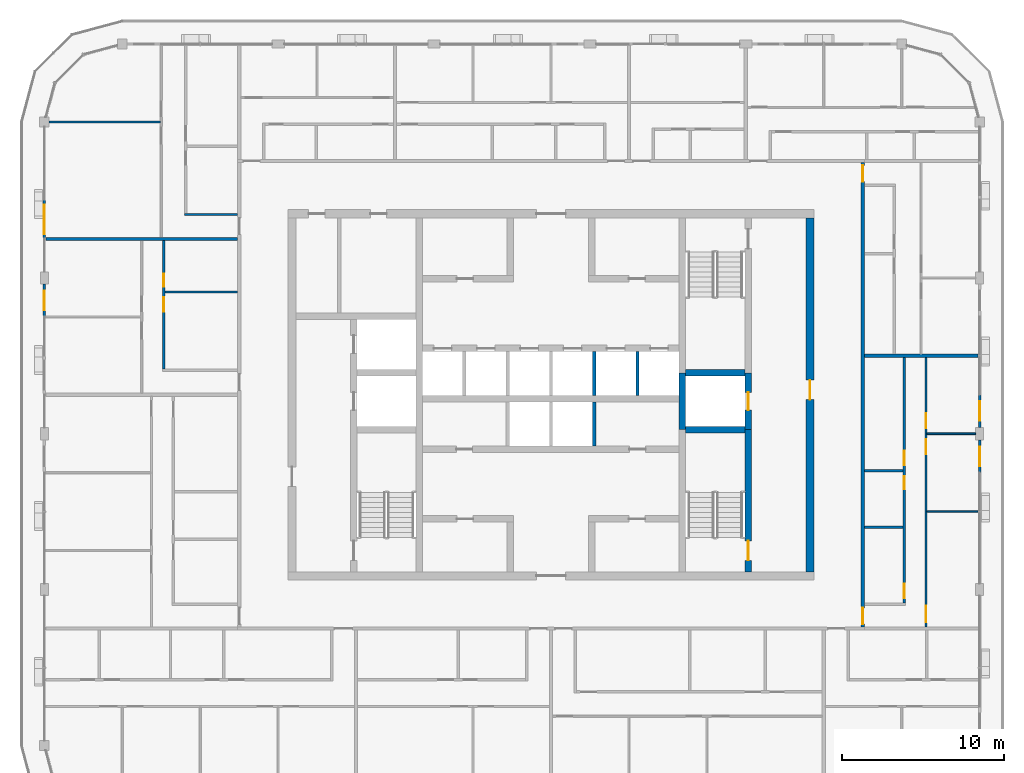
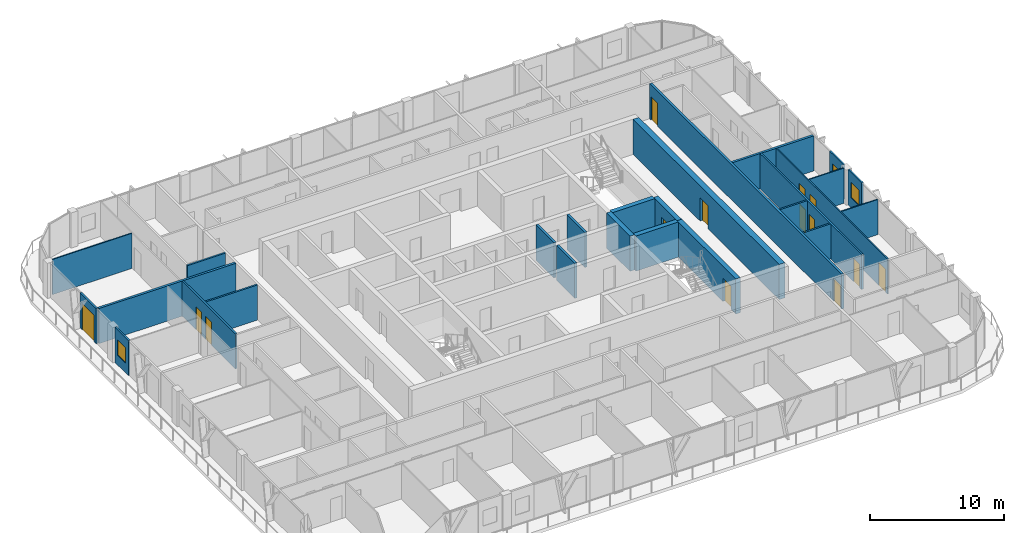
# One storey, part 12 of 21: 26 walls, 14 doors, 3 windows, 17 openings.
"""IFC4 building model written with IfcOpenShell, lengths in metres."""

from ifc_helpers import new_model, si_unit, direction, frame, frame_2d, origin, place, context, subcontext, project, spatial, rectangle, extrude, material, layer, layer_set, type_object, element, fill, save


model = new_model("IFC4")

# Units and contexts
model_context = context("Model", 3, precision=1e-05, world=origin(), true_north=direction((0.0, 1.0)))
body_context = subcontext(model_context, "Body", "Model", "MODEL_VIEW")
ifc_project = project(units=[si_unit("LENGTHUNIT", "METRE"), si_unit("AREAUNIT", "SQUARE_METRE"), si_unit("VOLUMEUNIT", "CUBIC_METRE"), si_unit("PLANEANGLEUNIT", "RADIAN"), si_unit("MASSUNIT", "GRAM", prefix="KILO")], contexts=[model_context])

# Site, building, storey
site_placement = place(None, origin())
site = spatial("IfcSite", under=ifc_project, at=site_placement, CompositionType="ELEMENT")
building_placement = place(site_placement, origin())
building = spatial("IfcBuilding", under=site, at=building_placement, Name="Madar Terraces", CompositionType="ELEMENT")
storey_placement = place(building_placement, frame((0.0, 0.0, 275.60009765625)))
storey = spatial("IfcBuildingStorey", under=building, at=storey_placement, Name="L72", CompositionType="ELEMENT", Elevation=275.60009765625)

# Wall
ifc_material_1 = material(Name="Concrete C50/60", Category="concrete")
ifc_layer_1 = layer(ifc_material_1, 0.39990234375)
ifc_layer_set_1 = layer_set([ifc_layer_1], Name="Concrete C50/60 (CIW6 RC wall 400)")
wall_type_1 = type_object("IfcWallType", Name="CIW6 RC wall 400", PredefinedType="SHEAR", material=ifc_layer_set_1)
wall_1_placement = place(storey_placement, frame((39.300048828125, 24.25, 0.0), z_axis=(0.0, 0.0, 1.0), x_axis=(0.0, 1.0, 0.0)))
element("IfcWall", 1, at=wall_1_placement, inside=storey, type_object=wall_type_1, Name="CORE SHAFT WALL", PredefinedType="SHEAR", context=body_context, shape_type="SweptSolid", body=[
    extrude(rectangle(XDim=3.5, YDim=0.39990234375, at=frame_2d((1.75, 0.0))), origin(), (0.0, 0.0, 1.0), 3.199951171875),
])

# Wall, opening, door
wall_2_placement = place(storey_placement, frame((43.35009765625, 15.5, 0.0), z_axis=(0.0, 0.0, 1.0), x_axis=(0.0, 1.0, 0.0)))
wall_2 = element("IfcWall", 2, at=wall_2_placement, inside=storey, type_object=wall_type_1, Name="CORE SHAFT WALL", PredefinedType="SHEAR", context=body_context, shape_type="SweptSolid", body=[
    extrude(rectangle(XDim=8.75, YDim=0.39990234375, at=frame_2d((4.375, 0.0))), origin(), (0.0, 0.0, 1.0), 3.199951171875),
])
opening_1_placement = place(wall_2_placement, frame((0.699951171875, 0.0, 0.0)))
opening_1 = element("IfcOpeningElement", 3, at=opening_1_placement, cuts=wall_2, Name="Opening SD1", PredefinedType="OPENING", context=body_context, shape_type="SweptSolid", body=[
    extrude(rectangle(XDim=1.199951171875, YDim=2.10009765625, at=frame_2d((0.60009765625, 1.050048828125))), frame((0.0, 0.2099609375, 0.0), z_axis=(0.0, -1.0, 0.0), x_axis=(1.0, 0.0, 0.0)), (0.0, 0.0, 1.0), 0.419921875),
])
ifc_material_2 = material(Name="Steel door leaf", Category="steel")
door_type_1 = type_object("IfcDoorType", Name="Stair door 1200 x 2100", OperationType="NOTDEFINED", PredefinedType="DOOR", material=ifc_material_2)
door_1_placement = place(opening_1_placement, origin())
door_1 = element("IfcDoor", 4, at=door_1_placement, inside=storey, type_object=door_type_1, Name="STAIR DOOR", OperationType="SINGLE_SWING_LEFT", OverallHeight=2.10009765625, OverallWidth=1.199951171875, PredefinedType="DOOR", context=body_context, shape_type="SweptSolid", body=[
    extrude(rectangle(XDim=1.199951171875, YDim=2.10009765625, at=frame_2d((0.60009765625, 1.050048828125))), frame((0.0, 0.02490234375, 0.0), z_axis=(0.0, -1.0, 0.0), x_axis=(1.0, 0.0, 0.0)), (0.0, 0.0, 1.0), 0.050048828125),
])
fill(opening_1, door_1)

wall_3_placement = place(storey_placement, frame((43.35009765625, 24.25, 0.0), z_axis=(0.0, 0.0, 1.0), x_axis=(0.0, 1.0, 0.0)))
wall_3 = element("IfcWall", 5, at=wall_3_placement, inside=storey, type_object=wall_type_1, Name="CORE SHAFT WALL", PredefinedType="SHEAR", context=body_context, shape_type="SweptSolid", body=[
    extrude(rectangle(XDim=3.5, YDim=0.39990234375, at=frame_2d((1.75, 0.0))), origin(), (0.0, 0.0, 1.0), 3.199951171875),
])
opening_2_placement = place(wall_3_placement, frame((1.199951171875, 0.0, 0.0)))
opening_2 = element("IfcOpeningElement", 6, at=opening_2_placement, cuts=wall_3, Name="Opening LD", PredefinedType="OPENING", context=body_context, shape_type="SweptSolid", body=[
    extrude(rectangle(XDim=1.10009765625, YDim=2.10009765625, at=frame_2d((0.550048828125, 1.050048828125))), frame((0.0, 0.2099609375, 0.0), z_axis=(0.0, -1.0, 0.0), x_axis=(1.0, 0.0, 0.0)), (0.0, 0.0, 1.0), 0.419921875),
])
ifc_material_3 = material(Name="Stainless steel panel", Category="steel")
door_type_2 = type_object("IfcDoorType", Name="Lift landing door 1100 x 2100", OperationType="DOUBLE_DOOR_SLIDING", PredefinedType="DOOR", material=ifc_material_3)
door_2_placement = place(opening_2_placement, origin())
door_2 = element("IfcDoor", 7, at=door_2_placement, inside=storey, type_object=door_type_2, Name="LIFT LANDING DOOR", OperationType="DOUBLE_DOOR_SLIDING", OverallHeight=2.10009765625, OverallWidth=1.10009765625, PredefinedType="DOOR", context=body_context, shape_type="SweptSolid", body=[
    extrude(rectangle(XDim=1.10009765625, YDim=2.10009765625, at=frame_2d((0.550048828125, 1.050048828125))), frame((0.0, 0.02490234375, 0.0), z_axis=(0.0, -1.0, 0.0), x_axis=(1.0, 0.0, 0.0)), (0.0, 0.0, 1.0), 0.050048828125),
])
fill(opening_2, door_2)

# Walls
for number, where, z_axis, x_axis, name in (
    (8, (39.5, 24.25, 0.0), (0.0, 0.0, 1.0), (1.0, 0.0, 0.0), "CORE SHAFT WALL"),
    (9, (39.5, 27.75, 0.0), (0.0, 0.0, 1.0), (1.0, 0.0, 0.0), "CORE SHAFT WALL"),
):
    element("IfcWall", number, at=place(storey_placement, frame(where, z_axis=z_axis, x_axis=x_axis)), inside=storey, type_object=wall_type_1, Name=name, PredefinedType="SHEAR", context=body_context, shape_type="SweptSolid", body=[
        extrude(rectangle(XDim=3.64990234375, YDim=0.39990234375, at=frame_2d((1.824951171875, 0.0))), origin(), (0.0, 0.0, 1.0), 3.199951171875),
    ])

# Wall, opening, door
ifc_material_4 = material(Name="Concrete C50/60", Category="concrete")
ifc_layer_2 = layer(ifc_material_4, 0.5)
ifc_layer_set_2 = layer_set([ifc_layer_2], Name="Concrete C50/60 (CRW6 RC wall 500)")
wall_type_2 = type_object("IfcWallType", Name="CRW6 RC wall 500", PredefinedType="SHEAR", material=ifc_layer_set_2)
wall_4_placement = place(storey_placement, frame((47.14990234375, 15.5, 0.0), z_axis=(0.0, 0.0, 1.0), x_axis=(0.0, 1.0, 0.0)))
wall_4 = element("IfcWall", 10, at=wall_4_placement, inside=storey, type_object=wall_type_2, Name="CORE OUTER WALL", PredefinedType="SHEAR", context=body_context, shape_type="SweptSolid", body=[
    extrude(rectangle(XDim=21.800048828125, YDim=0.5, at=frame_2d((10.89990234375, 0.0))), origin(), (0.0, 0.0, 1.0), 3.199951171875),
])
opening_3_placement = place(wall_4_placement, frame((10.60009765625, 0.0, 0.0)))
opening_3 = element("IfcOpeningElement", 11, at=opening_3_placement, cuts=wall_4, Name="Opening SD1", PredefinedType="OPENING", context=body_context, shape_type="SweptSolid", body=[
    extrude(rectangle(XDim=1.199951171875, YDim=2.10009765625, at=frame_2d((0.60009765625, 1.050048828125))), frame((0.0, 0.260009765625, 0.0), z_axis=(0.0, -1.0, 0.0), x_axis=(1.0, 0.0, 0.0)), (0.0, 0.0, 1.0), 0.52001953125),
])
door_3_placement = place(opening_3_placement, origin())
door_3 = element("IfcDoor", 12, at=door_3_placement, inside=storey, type_object=door_type_1, Name="STAIR DOOR", OperationType="SINGLE_SWING_RIGHT", OverallHeight=2.10009765625, OverallWidth=1.199951171875, PredefinedType="DOOR", context=body_context, shape_type="SweptSolid", body=[
    extrude(rectangle(XDim=1.199951171875, YDim=2.10009765625, at=frame_2d((0.60009765625, 1.050048828125))), frame((0.0, 0.02490234375, 0.0), z_axis=(0.0, -1.0, 0.0), x_axis=(1.0, 0.0, 0.0)), (0.0, 0.0, 1.0), 0.050048828125),
])
fill(opening_3, door_3)

# Walls
ifc_material_5 = material(Name="Concrete C40/50", Category="concrete")
ifc_layer_3 = layer(ifc_material_5, 0.199951171875)
ifc_layer_set_3 = layer_set([ifc_layer_3], Name="Core shaft dividing wall 200 C40/50")
wall_type_3 = type_object("IfcWallType", Name="Core shaft dividing wall 200 C40/50", PredefinedType="SOLIDWALL", material=ifc_layer_set_3)
for number, where, z_axis, x_axis, name in (
    (13, (33.86669921875, 23.25, 0.0), (0.0, 0.0, 1.0), (0.0, 1.0, 0.0), "SHAFT DIVIDING WALL"),
    (14, (33.86669921875, 26.35009765625, 0.0), (0.0, 0.0, 1.0), (0.0, 1.0, 0.0), "SHAFT DIVIDING WALL"),
    (15, (36.533447265625, 26.35009765625, 0.0), (0.0, 0.0, 1.0), (0.0, 1.0, 0.0), "SHAFT DIVIDING WALL"),
):
    element("IfcWall", number, at=place(storey_placement, frame(where, z_axis=z_axis, x_axis=x_axis)), inside=storey, type_object=wall_type_3, Name=name, PredefinedType="SOLIDWALL", context=body_context, shape_type="SweptSolid", body=[
        extrude(rectangle(XDim=2.699951171875, YDim=0.199951171875, at=frame_2d((1.35009765625, 0.0))), origin(), (0.0, 0.0, 1.0), 3.199951171875),
    ])

# Wall, opening, window
ifc_material_6 = material(Name="Aluminium composite panel, black, over insulated backing", Category="aluminium")
ifc_layer_4 = layer(ifc_material_6, 0.14990234375)
ifc_layer_set_4 = layer_set([ifc_layer_4], Name="Facade bay panel 150")
wall_type_4 = type_object("IfcWallType", Name="Facade bay panel 150", PredefinedType="SOLIDWALL", material=ifc_layer_set_4)
wall_5_placement = place(storey_placement, frame((57.60009765625, 21.60009765625, 0.0), z_axis=(0.0, 0.0, 1.0), x_axis=(0.0, 1.0, 0.0)))
wall_5 = element("IfcWall", 16, at=wall_5_placement, inside=storey, type_object=wall_type_4, Name="Facade bay panel", PredefinedType="SOLIDWALL", context=body_context, shape_type="SweptSolid", body=[
    extrude(rectangle(XDim=2.02490234375, YDim=0.14990234375, at=frame_2d((1.012451171875, 0.0))), origin(), (0.0, 0.0, 1.0), 3.199951171875),
])
opening_4_placement = place(wall_5_placement, frame((0.41259765625, 0.0, 0.89990234375)))
opening_4 = element("IfcOpeningElement", 17, at=opening_4_placement, cuts=wall_5, Name="Opening W1", PredefinedType="OPENING", context=body_context, shape_type="SweptSolid", body=[
    extrude(rectangle(XDim=1.199951171875, YDim=1.39990234375, at=frame_2d((0.60009765625, 0.699951171875))), frame((0.0, 0.0849609375, 0.0), z_axis=(0.0, -1.0, 0.0), x_axis=(1.0, 0.0, 0.0)), (0.0, 0.0, 1.0), 0.169921875),
])
ifc_material_7 = material(Name="Glass, clear, with black aluminium frame", Category="aluminium")
window_type = type_object("IfcWindowType", Name="Vent window 1200 x 1400", PartitioningType="SINGLE_PANEL", PredefinedType="WINDOW", material=ifc_material_7)
window_1_placement = place(opening_4_placement, origin())
window_1 = element("IfcWindow", 18, at=window_1_placement, inside=storey, type_object=window_type, Name="Operable vent window", OverallHeight=1.39990234375, OverallWidth=1.199951171875, PartitioningType="SINGLE_PANEL", PredefinedType="WINDOW", context=body_context, shape_type="SweptSolid", body=[
    extrude(rectangle(XDim=1.199951171875, YDim=1.39990234375, at=frame_2d((0.60009765625, 0.699951171875))), frame((0.0, 0.030029296875, 0.0), z_axis=(0.0, -1.0, 0.0), x_axis=(1.0, 0.0, 0.0)), (0.0, 0.0, 1.0), 0.06005859375),
])
fill(opening_4, window_1)

wall_6_placement = place(storey_placement, frame((57.60009765625, 24.375, 0.0), z_axis=(0.0, 0.0, 1.0), x_axis=(0.0, 1.0, 0.0)))
wall_6 = element("IfcWall", 19, at=wall_6_placement, inside=storey, type_object=wall_type_4, Name="Facade bay panel", PredefinedType="SOLIDWALL", context=body_context, shape_type="SweptSolid", body=[
    extrude(rectangle(XDim=2.02490234375, YDim=0.14990234375, at=frame_2d((1.012451171875, 0.0))), origin(), (0.0, 0.0, 1.0), 3.199951171875),
])
opening_5_placement = place(wall_6_placement, frame((0.41259765625, 0.0, 0.89990234375)))
opening_5 = element("IfcOpeningElement", 20, at=opening_5_placement, cuts=wall_6, Name="Opening W1", PredefinedType="OPENING", context=body_context, shape_type="SweptSolid", body=[
    extrude(rectangle(XDim=1.199951171875, YDim=1.39990234375, at=frame_2d((0.60009765625, 0.699951171875))), frame((0.0, 0.0849609375, 0.0), z_axis=(0.0, -1.0, 0.0), x_axis=(1.0, 0.0, 0.0)), (0.0, 0.0, 1.0), 0.169921875),
])
window_2_placement = place(opening_5_placement, origin())
window_2 = element("IfcWindow", 21, at=window_2_placement, inside=storey, type_object=window_type, Name="Operable vent window", OverallHeight=1.39990234375, OverallWidth=1.199951171875, PartitioningType="SINGLE_PANEL", PredefinedType="WINDOW", context=body_context, shape_type="SweptSolid", body=[
    extrude(rectangle(XDim=1.199951171875, YDim=1.39990234375, at=frame_2d((0.60009765625, 0.699951171875))), frame((0.0, 0.030029296875, 0.0), z_axis=(0.0, -1.0, 0.0), x_axis=(1.0, 0.0, 0.0)), (0.0, 0.0, 1.0), 0.06005859375),
])
fill(opening_5, window_2)

# Wall, opening, door
wall_7_placement = place(storey_placement, frame((0.0, 38.39990234375, 0.0), z_axis=(0.0, 0.0, 1.0), x_axis=(0.0, -1.0, 0.0)))
wall_7 = element("IfcWall", 22, at=wall_7_placement, inside=storey, type_object=wall_type_4, Name="Facade bay panel", PredefinedType="SOLIDWALL", context=body_context, shape_type="SweptSolid", body=[
    extrude(rectangle(XDim=2.39990234375, YDim=0.14990234375, at=frame_2d((1.199951171875, 0.0))), origin(), (0.0, 0.0, 1.0), 3.199951171875),
])
opening_6_placement = place(wall_7_placement, frame((0.300048828125, 0.0, 0.0)))
opening_6 = element("IfcOpeningElement", 23, at=opening_6_placement, cuts=wall_7, Name="Opening ED1", PredefinedType="OPENING", context=body_context, shape_type="SweptSolid", body=[
    extrude(rectangle(XDim=1.800048828125, YDim=2.39990234375, at=frame_2d((0.89990234375, 1.199951171875))), frame((0.0, 0.0849609375, 0.0), z_axis=(0.0, -1.0, 0.0), x_axis=(1.0, 0.0, 0.0)), (0.0, 0.0, 1.0), 0.169921875),
])
ifc_material_8 = material(Name="Glass, clear, with black aluminium frame", Category="aluminium")
door_type_3 = type_object("IfcDoorType", Name="Balcony and terrace sliding door 1800 x 2400", OperationType="SLIDING_TO_LEFT", PredefinedType="DOOR", material=ifc_material_8)
door_4_placement = place(opening_6_placement, origin())
door_4 = element("IfcDoor", 24, at=door_4_placement, inside=storey, type_object=door_type_3, Name="Balcony door", OperationType="SLIDING_TO_LEFT", OverallHeight=2.39990234375, OverallWidth=1.800048828125, PredefinedType="DOOR", context=body_context, shape_type="SweptSolid", body=[
    extrude(rectangle(XDim=1.800048828125, YDim=2.39990234375, at=frame_2d((0.89990234375, 1.199951171875))), frame((0.0, 0.02490234375, 0.0), z_axis=(0.0, -1.0, 0.0), x_axis=(1.0, 0.0, 0.0)), (0.0, 0.0, 1.0), 0.050048828125),
])
fill(opening_6, door_4)

# Wall, opening, window
wall_8_placement = place(storey_placement, frame((0.0, 33.22509765625, 0.0), z_axis=(0.0, 0.0, 1.0), x_axis=(0.0, -1.0, 0.0)))
wall_8 = element("IfcWall", 25, at=wall_8_placement, inside=storey, type_object=wall_type_4, Name="Facade bay panel", PredefinedType="SOLIDWALL", context=body_context, shape_type="SweptSolid", body=[
    extrude(rectangle(XDim=2.025146484375, YDim=0.14990234375, at=frame_2d((1.0126953125, 0.0))), origin(), (0.0, 0.0, 1.0), 3.199951171875),
])
opening_7_placement = place(wall_8_placement, frame((0.41259765625, 0.0, 0.89990234375)))
opening_7 = element("IfcOpeningElement", 26, at=opening_7_placement, cuts=wall_8, Name="Opening W1", PredefinedType="OPENING", context=body_context, shape_type="SweptSolid", body=[
    extrude(rectangle(XDim=1.199951171875, YDim=1.39990234375, at=frame_2d((0.60009765625, 0.699951171875))), frame((0.0, 0.0849609375, 0.0), z_axis=(0.0, -1.0, 0.0), x_axis=(1.0, 0.0, 0.0)), (0.0, 0.0, 1.0), 0.169921875),
])
window_3_placement = place(opening_7_placement, origin())
window_3 = element("IfcWindow", 27, at=window_3_placement, inside=storey, type_object=window_type, Name="Operable vent window", OverallHeight=1.39990234375, OverallWidth=1.199951171875, PartitioningType="SINGLE_PANEL", PredefinedType="WINDOW", context=body_context, shape_type="SweptSolid", body=[
    extrude(rectangle(XDim=1.199951171875, YDim=1.39990234375, at=frame_2d((0.60009765625, 0.699951171875))), frame((0.0, 0.030029296875, 0.0), z_axis=(0.0, -1.0, 0.0), x_axis=(1.0, 0.0, 0.0)), (0.0, 0.0, 1.0), 0.06005859375),
])
fill(opening_7, window_3)

# Walls
ifc_material_9 = material(Name="Gypsum board on steel studs", Category="steel")
ifc_layer_5 = layer(ifc_material_9, 0.10009765625)
ifc_layer_set_5 = layer_set([ifc_layer_5], Name="Flat partition 100")
wall_type_5 = type_object("IfcWallType", Name="Flat partition 100", PredefinedType="PARTITIONING", material=ifc_layer_set_5)
wall_9_placement = place(storey_placement, frame((54.35009765625, 19.199951171875, 0.0), z_axis=(0.0, 0.0, 1.0), x_axis=(1.0, 0.0, 0.0)))
element("IfcWall", 28, at=wall_9_placement, inside=storey, type_object=wall_type_5, Name="Flat partition 100", PredefinedType="PARTITIONING", context=body_context, shape_type="SweptSolid", body=[
    extrude(rectangle(XDim=3.14990234375, YDim=0.10009765625, at=frame_2d((1.574951171875, 0.0))), origin(), (0.0, 0.0, 1.0), 3.199951171875),
])
wall_10_placement = place(storey_placement, frame((54.35009765625, 24.0, 0.0), z_axis=(0.0, 0.0, 1.0), x_axis=(1.0, 0.0, 0.0)))
element("IfcWall", 29, at=wall_10_placement, inside=storey, type_object=wall_type_5, Name="Flat partition 100", PredefinedType="PARTITIONING", context=body_context, shape_type="SweptSolid", body=[
    extrude(rectangle(XDim=3.0, YDim=0.10009765625, at=frame_2d((1.5, 0.0))), origin(), (0.0, 0.0, 1.0), 3.199951171875),
])

# Wall, openings, doors
wall_11_placement = place(storey_placement, frame((54.300048828125, 28.699951171875, 0.0), z_axis=(0.0, 0.0, 1.0), x_axis=(0.0, -1.0, 0.0)))
wall_11 = element("IfcWall", 30, at=wall_11_placement, inside=storey, type_object=wall_type_5, Name="Flat partition 100", PredefinedType="PARTITIONING", context=body_context, shape_type="SweptSolid", body=[
    extrude(rectangle(XDim=16.599853515625, YDim=0.10009765625, at=frame_2d((8.2998046875, 0.0))), origin(), (0.0, 0.0, 1.0), 3.199951171875),
])
opening_8_placement = place(wall_11_placement, frame((15.300048828125, 0.0, 0.0)))
opening_8 = element("IfcOpeningElement", 31, at=opening_8_placement, cuts=wall_11, Name="Opening D3", PredefinedType="OPENING", context=body_context, shape_type="SweptSolid", body=[
    extrude(rectangle(XDim=1.0, YDim=2.10009765625, at=frame_2d((0.5, 1.050048828125))), frame((0.0, 0.06005859375, 0.0), z_axis=(0.0, -1.0, 0.0), x_axis=(1.0, 0.0, 0.0)), (0.0, 0.0, 1.0), 0.1201171875),
])
opening_9_placement = place(wall_11_placement, frame((5.050048828125, 0.0, 0.0)))
opening_9 = element("IfcOpeningElement", 32, at=opening_9_placement, cuts=wall_11, Name="Opening D2", PredefinedType="OPENING", context=body_context, shape_type="SweptSolid", body=[
    extrude(rectangle(XDim=0.89990234375, YDim=2.10009765625, at=frame_2d((0.449951171875, 1.050048828125))), frame((0.0, 0.06005859375, 0.0), z_axis=(0.0, -1.0, 0.0), x_axis=(1.0, 0.0, 0.0)), (0.0, 0.0, 1.0), 0.1201171875),
])
opening_10_placement = place(wall_11_placement, frame((3.449951171875, 0.0, 0.0)))
opening_10 = element("IfcOpeningElement", 33, at=opening_10_placement, cuts=wall_11, Name="Opening D2", PredefinedType="OPENING", context=body_context, shape_type="SweptSolid", body=[
    extrude(rectangle(XDim=0.89990234375, YDim=2.10009765625, at=frame_2d((0.449951171875, 1.050048828125))), frame((0.0, 0.06005859375, 0.0), z_axis=(0.0, -1.0, 0.0), x_axis=(1.0, 0.0, 0.0)), (0.0, 0.0, 1.0), 0.1201171875),
])
ifc_material_10 = material(Name="Timber door leaf", Category="wood")
door_type_4 = type_object("IfcDoorType", Name="Flat living room door 1000", OperationType="NOTDEFINED", PredefinedType="DOOR", material=ifc_material_10)
door_5_placement = place(opening_8_placement, origin())
door_5 = element("IfcDoor", 34, at=door_5_placement, inside=storey, type_object=door_type_4, Name="Flat living room door 1000", OperationType="SINGLE_SWING_RIGHT", OverallHeight=2.10009765625, OverallWidth=1.0, PredefinedType="DOOR", context=body_context, shape_type="SweptSolid", body=[
    extrude(rectangle(XDim=1.0, YDim=2.10009765625, at=frame_2d((0.5, 1.050048828125))), frame((0.0, 0.02490234375, 0.0), z_axis=(0.0, -1.0, 0.0), x_axis=(1.0, 0.0, 0.0)), (0.0, 0.0, 1.0), 0.050048828125),
])
fill(opening_8, door_5)
ifc_material_11 = material(Name="Timber door leaf", Category="wood")
door_type_5 = type_object("IfcDoorType", Name="Flat room door 900", OperationType="NOTDEFINED", PredefinedType="DOOR", material=ifc_material_11)
door_6_placement = place(opening_9_placement, origin())
door_6 = element("IfcDoor", 35, at=door_6_placement, inside=storey, type_object=door_type_5, Name="Flat room door 900", OperationType="SINGLE_SWING_LEFT", OverallHeight=2.10009765625, OverallWidth=0.89990234375, PredefinedType="DOOR", context=body_context, shape_type="SweptSolid", body=[
    extrude(rectangle(XDim=0.89990234375, YDim=2.10009765625, at=frame_2d((0.449951171875, 1.050048828125))), frame((0.0, 0.02490234375, 0.0), z_axis=(0.0, -1.0, 0.0), x_axis=(1.0, 0.0, 0.0)), (0.0, 0.0, 1.0), 0.050048828125),
])
fill(opening_9, door_6)
door_7_placement = place(opening_10_placement, origin())
door_7 = element("IfcDoor", 36, at=door_7_placement, inside=storey, type_object=door_type_5, Name="Flat room door 900", OperationType="SINGLE_SWING_RIGHT", OverallHeight=2.10009765625, OverallWidth=0.89990234375, PredefinedType="DOOR", context=body_context, shape_type="SweptSolid", body=[
    extrude(rectangle(XDim=0.89990234375, YDim=2.10009765625, at=frame_2d((0.449951171875, 1.050048828125))), frame((0.0, 0.02490234375, 0.0), z_axis=(0.0, -1.0, 0.0), x_axis=(1.0, 0.0, 0.0)), (0.0, 0.0, 1.0), 0.050048828125),
])
fill(opening_10, door_7)

# Wall
wall_12_placement = place(storey_placement, frame((7.14990234375, 43.199951171875, 0.0), z_axis=(0.0, 0.0, 1.0), x_axis=(-1.0, 0.0, 0.0)))
element("IfcWall", 37, at=wall_12_placement, inside=storey, type_object=wall_type_5, Name="Flat partition 100", PredefinedType="PARTITIONING", context=body_context, shape_type="SweptSolid", body=[
    extrude(rectangle(XDim=6.849853515625, YDim=0.10009765625, at=frame_2d((3.4248046875, 0.0))), origin(), (0.0, 0.0, 1.0), 3.199951171875),
])

# Wall, openings, doors
ifc_material_12 = material(Name="Lightweight blockwork", Category="masonry")
ifc_layer_6 = layer(ifc_material_12, 0.199951171875)
ifc_layer_set_6 = layer_set([ifc_layer_6], Name="Flat party and entrance wall 200")
wall_type_6 = type_object("IfcWallType", Name="Flat party and entrance wall 200", PredefinedType="PARTITIONING", material=ifc_layer_set_6)
wall_13_placement = place(storey_placement, frame((50.39990234375, 40.699951171875, 0.0), z_axis=(0.0, 0.0, 1.0), x_axis=(0.0, -1.0, 0.0)))
wall_13 = element("IfcWall", 38, at=wall_13_placement, inside=storey, type_object=wall_type_6, Name="Flat party and entrance wall 200", PredefinedType="PARTITIONING", context=body_context, shape_type="SweptSolid", body=[
    extrude(rectangle(XDim=28.599853515625, YDim=0.199951171875, at=frame_2d((14.2998046875, 0.0))), origin(), (0.0, 0.0, 1.0), 3.199951171875),
])
opening_11_placement = place(wall_13_placement, frame((27.425048828125, 0.0, 0.0)))
opening_11 = element("IfcOpeningElement", 39, at=opening_11_placement, cuts=wall_13, Name="Opening D1", PredefinedType="OPENING", context=body_context, shape_type="SweptSolid", body=[
    extrude(rectangle(XDim=1.0, YDim=2.10009765625, at=frame_2d((0.5, 1.050048828125))), frame((0.0, 0.10986328125, 0.0), z_axis=(0.0, -1.0, 0.0), x_axis=(1.0, 0.0, 0.0)), (0.0, 0.0, 1.0), 0.219970703125),
])
opening_12_placement = place(wall_13_placement, frame((0.175048828125, 0.0, 0.0)))
opening_12 = element("IfcOpeningElement", 40, at=opening_12_placement, cuts=wall_13, Name="Opening D1", PredefinedType="OPENING", context=body_context, shape_type="SweptSolid", body=[
    extrude(rectangle(XDim=1.0, YDim=2.10009765625, at=frame_2d((0.5, 1.050048828125))), frame((0.0, 0.10986328125, 0.0), z_axis=(0.0, -1.0, 0.0), x_axis=(1.0, 0.0, 0.0)), (0.0, 0.0, 1.0), 0.219970703125),
])
ifc_material_13 = material(Name="Timber fire door leaf", Category="wood")
door_type_6 = type_object("IfcDoorType", Name="Flat entrance door 1000 FD30S", OperationType="NOTDEFINED", PredefinedType="DOOR", material=ifc_material_13)
door_8_placement = place(opening_11_placement, origin())
door_8 = element("IfcDoor", 41, at=door_8_placement, inside=storey, type_object=door_type_6, Name="Flat entrance door 1000 FD30S", OperationType="SINGLE_SWING_RIGHT", OverallHeight=2.10009765625, OverallWidth=1.0, PredefinedType="DOOR", context=body_context, shape_type="SweptSolid", body=[
    extrude(rectangle(XDim=1.0, YDim=2.10009765625, at=frame_2d((0.5, 1.050048828125))), frame((0.0, 0.02490234375, 0.0), z_axis=(0.0, -1.0, 0.0), x_axis=(1.0, 0.0, 0.0)), (0.0, 0.0, 1.0), 0.050048828125),
])
fill(opening_11, door_8)
door_9_placement = place(opening_12_placement, origin())
door_9 = element("IfcDoor", 42, at=door_9_placement, inside=storey, type_object=door_type_6, Name="Flat entrance door 1000 FD30S", OperationType="SINGLE_SWING_LEFT", OverallHeight=2.10009765625, OverallWidth=1.0, PredefinedType="DOOR", context=body_context, shape_type="SweptSolid", body=[
    extrude(rectangle(XDim=1.0, YDim=2.10009765625, at=frame_2d((0.5, 1.050048828125))), frame((0.0, 0.02490234375, 0.0), z_axis=(0.0, -1.0, 0.0), x_axis=(1.0, 0.0, 0.0)), (0.0, 0.0, 1.0), 0.050048828125),
])
fill(opening_12, door_9)

# Walls
wall_14_placement = place(storey_placement, frame((50.5, 28.800048828125, 0.0), z_axis=(0.0, 0.0, 1.0), x_axis=(1.0, 0.0, 0.0)))
element("IfcWall", 43, at=wall_14_placement, inside=storey, type_object=wall_type_6, Name="Flat party and entrance wall 200", PredefinedType="PARTITIONING", context=body_context, shape_type="SweptSolid", body=[
    extrude(rectangle(XDim=7.0, YDim=0.199951171875, at=frame_2d((3.5, 0.0))), origin(), (0.0, 0.0, 1.0), 3.199951171875),
])
wall_15_placement = place(storey_placement, frame((0.10009765625, 36.0, 0.0), z_axis=(0.0, 0.0, 1.0), x_axis=(1.0, 0.0, 0.0)))
element("IfcWall", 44, at=wall_15_placement, inside=storey, type_object=wall_type_6, Name="Flat party and entrance wall 200", PredefinedType="PARTITIONING", context=body_context, shape_type="SweptSolid", body=[
    extrude(rectangle(XDim=11.7998046875, YDim=0.199951171875, at=frame_2d((5.89990234375, 0.0))), origin(), (0.0, 0.0, 1.0), 3.199951171875),
])
ifc_material_14 = material(Name="Lightweight blockwork", Category="masonry")
ifc_layer_7 = layer(ifc_material_14, 0.14990234375)
ifc_layer_set_7 = layer_set([ifc_layer_7], Name="Flat wet-room partition 150")
wall_type_7 = type_object("IfcWallType", Name="Flat wet-room partition 150", PredefinedType="PARTITIONING", material=ifc_layer_set_7)
for number, where, z_axis, x_axis, name in (
    (45, (50.5, 18.228759765625, 0.0), (0.0, 0.0, 1.0), (1.0, 0.0, 0.0), "Flat wet-room partition 150"),
    (46, (50.5, 21.71923828125, 0.0), (0.0, 0.0, 1.0), (1.0, 0.0, 0.0), "Flat wet-room partition 150"),
):
    element("IfcWall", number, at=place(storey_placement, frame(where, z_axis=z_axis, x_axis=x_axis)), inside=storey, type_object=wall_type_7, Name=name, PredefinedType="PARTITIONING", context=body_context, shape_type="SweptSolid", body=[
        extrude(rectangle(XDim=2.375, YDim=0.14990234375, at=frame_2d((1.1875, 0.0))), origin(), (0.0, 0.0, 1.0), 3.199951171875),
    ])

# Wall, openings, doors
wall_16_placement = place(storey_placement, frame((52.949951171875, 13.574951171875, 0.0), z_axis=(0.0, 0.0, 1.0), x_axis=(0.0, 1.0, 0.0)))
wall_16 = element("IfcWall", 47, at=wall_16_placement, inside=storey, type_object=wall_type_7, Name="Flat wet-room partition 150", PredefinedType="PARTITIONING", context=body_context, shape_type="SweptSolid", body=[
    extrude(rectangle(XDim=15.125, YDim=0.14990234375, at=frame_2d((7.5625, 0.0))), origin(), (0.0, 0.0, 1.0), 3.199951171875),
])
opening_13_placement = place(wall_16_placement, frame((0.300048828125, 0.0, 0.0)))
opening_13 = element("IfcOpeningElement", 48, at=opening_13_placement, cuts=wall_16, Name="Opening D5", PredefinedType="OPENING", context=body_context, shape_type="SweptSolid", body=[
    extrude(rectangle(XDim=0.89990234375, YDim=2.10009765625, at=frame_2d((0.449951171875, 1.050048828125))), frame((0.0, 0.0849609375, 0.0), z_axis=(0.0, -1.0, 0.0), x_axis=(1.0, 0.0, 0.0)), (0.0, 0.0, 1.0), 0.169921875),
])
opening_14_placement = place(wall_16_placement, frame((7.019287109375, 0.0, 0.0)))
opening_14 = element("IfcOpeningElement", 49, at=opening_14_placement, cuts=wall_16, Name="Opening D4", PredefinedType="OPENING", context=body_context, shape_type="SweptSolid", body=[
    extrude(rectangle(XDim=0.800048828125, YDim=2.10009765625, at=frame_2d((0.39990234375, 1.050048828125))), frame((0.0, 0.0849609375, 0.0), z_axis=(0.0, -1.0, 0.0), x_axis=(1.0, 0.0, 0.0)), (0.0, 0.0, 1.0), 0.169921875),
])
opening_15_placement = place(wall_16_placement, frame((8.46923828125, 0.0, 0.0)))
opening_15 = element("IfcOpeningElement", 50, at=opening_15_placement, cuts=wall_16, Name="Opening D2", PredefinedType="OPENING", context=body_context, shape_type="SweptSolid", body=[
    extrude(rectangle(XDim=0.89990234375, YDim=2.10009765625, at=frame_2d((0.449951171875, 1.050048828125))), frame((0.0, 0.0849609375, 0.0), z_axis=(0.0, -1.0, 0.0), x_axis=(1.0, 0.0, 0.0)), (0.0, 0.0, 1.0), 0.169921875),
])
ifc_material_15 = material(Name="Timber door leaf", Category="wood")
door_type_7 = type_object("IfcDoorType", Name="Flat accessible bathroom door 900", OperationType="NOTDEFINED", PredefinedType="DOOR", material=ifc_material_15)
door_10_placement = place(opening_13_placement, origin())
door_10 = element("IfcDoor", 51, at=door_10_placement, inside=storey, type_object=door_type_7, Name="Flat accessible bathroom door 900", OperationType="SINGLE_SWING_LEFT", OverallHeight=2.10009765625, OverallWidth=0.89990234375, PredefinedType="DOOR", context=body_context, shape_type="SweptSolid", body=[
    extrude(rectangle(XDim=0.89990234375, YDim=2.10009765625, at=frame_2d((0.449951171875, 1.050048828125))), frame((0.0, 0.02490234375, 0.0), z_axis=(0.0, -1.0, 0.0), x_axis=(1.0, 0.0, 0.0)), (0.0, 0.0, 1.0), 0.050048828125),
])
fill(opening_13, door_10)
ifc_material_16 = material(Name="Timber door leaf", Category="wood")
door_type_8 = type_object("IfcDoorType", Name="Flat bathroom door 800", OperationType="NOTDEFINED", PredefinedType="DOOR", material=ifc_material_16)
door_11_placement = place(opening_14_placement, origin())
door_11 = element("IfcDoor", 52, at=door_11_placement, inside=storey, type_object=door_type_8, Name="Flat bathroom door 800", OperationType="SINGLE_SWING_RIGHT", OverallHeight=2.10009765625, OverallWidth=0.800048828125, PredefinedType="DOOR", context=body_context, shape_type="SweptSolid", body=[
    extrude(rectangle(XDim=0.800048828125, YDim=2.10009765625, at=frame_2d((0.39990234375, 1.050048828125))), frame((0.0, 0.02490234375, 0.0), z_axis=(0.0, -1.0, 0.0), x_axis=(1.0, 0.0, 0.0)), (0.0, 0.0, 1.0), 0.050048828125),
])
fill(opening_14, door_11)
door_12_placement = place(opening_15_placement, origin())
door_12 = element("IfcDoor", 53, at=door_12_placement, inside=storey, type_object=door_type_5, Name="Flat room door 900", OperationType="SINGLE_SWING_LEFT", OverallHeight=2.10009765625, OverallWidth=0.89990234375, PredefinedType="DOOR", context=body_context, shape_type="SweptSolid", body=[
    extrude(rectangle(XDim=0.89990234375, YDim=2.10009765625, at=frame_2d((0.449951171875, 1.050048828125))), frame((0.0, 0.02490234375, 0.0), z_axis=(0.0, -1.0, 0.0), x_axis=(1.0, 0.0, 0.0)), (0.0, 0.0, 1.0), 0.050048828125),
])
fill(opening_15, door_12)

# Walls
wall_17_placement = place(storey_placement, frame((11.89990234375, 37.5, 0.0), z_axis=(0.0, 0.0, 1.0), x_axis=(-1.0, 0.0, 0.0)))
element("IfcWall", 54, at=wall_17_placement, inside=storey, type_object=wall_type_7, Name="Flat wet-room partition 150", PredefinedType="PARTITIONING", context=body_context, shape_type="SweptSolid", body=[
    extrude(rectangle(XDim=3.27490234375, YDim=0.14990234375, at=frame_2d((1.637451171875, 0.0))), origin(), (0.0, 0.0, 1.0), 3.199951171875),
])
wall_18_placement = place(storey_placement, frame((11.89990234375, 32.72998046875, 0.0), z_axis=(0.0, 0.0, 1.0), x_axis=(-1.0, 0.0, 0.0)))
element("IfcWall", 55, at=wall_18_placement, inside=storey, type_object=wall_type_7, Name="Flat wet-room partition 150", PredefinedType="PARTITIONING", context=body_context, shape_type="SweptSolid", body=[
    extrude(rectangle(XDim=4.474853515625, YDim=0.14990234375, at=frame_2d((2.2373046875, 0.0))), origin(), (0.0, 0.0, 1.0), 3.199951171875),
])

# Wall, openings, doors
wall_19_placement = place(storey_placement, frame((7.35009765625, 35.89990234375, 0.0), z_axis=(0.0, 0.0, 1.0), x_axis=(0.0, -1.0, 0.0)))
wall_19 = element("IfcWall", 56, at=wall_19_placement, inside=storey, type_object=wall_type_7, Name="Flat wet-room partition 150", PredefinedType="PARTITIONING", context=body_context, shape_type="SweptSolid", body=[
    extrude(rectangle(XDim=7.9248046875, YDim=0.14990234375, at=frame_2d((3.96240234375, 0.0))), origin(), (0.0, 0.0, 1.0), 3.199951171875),
])
opening_16_placement = place(wall_19_placement, frame((3.4951171875, 0.0, 0.0)))
opening_16 = element("IfcOpeningElement", 57, at=opening_16_placement, cuts=wall_19, Name="Opening D2", PredefinedType="OPENING", context=body_context, shape_type="SweptSolid", body=[
    extrude(rectangle(XDim=0.89990234375, YDim=2.10009765625, at=frame_2d((0.449951171875, 1.050048828125))), frame((0.0, 0.0849609375, 0.0), z_axis=(0.0, -1.0, 0.0), x_axis=(1.0, 0.0, 0.0)), (0.0, 0.0, 1.0), 0.169921875),
])
opening_17_placement = place(wall_19_placement, frame((2.044921875, 0.0, 0.0)))
opening_17 = element("IfcOpeningElement", 58, at=opening_17_placement, cuts=wall_19, Name="Opening D4", PredefinedType="OPENING", context=body_context, shape_type="SweptSolid", body=[
    extrude(rectangle(XDim=0.800048828125, YDim=2.10009765625, at=frame_2d((0.39990234375, 1.050048828125))), frame((0.0, 0.0849609375, 0.0), z_axis=(0.0, -1.0, 0.0), x_axis=(1.0, 0.0, 0.0)), (0.0, 0.0, 1.0), 0.169921875),
])
door_13_placement = place(opening_17_placement, origin())
door_13 = element("IfcDoor", 59, at=door_13_placement, inside=storey, type_object=door_type_8, Name="Flat bathroom door 800", OperationType="SINGLE_SWING_RIGHT", OverallHeight=2.10009765625, OverallWidth=0.800048828125, PredefinedType="DOOR", context=body_context, shape_type="SweptSolid", body=[
    extrude(rectangle(XDim=0.800048828125, YDim=2.10009765625, at=frame_2d((0.39990234375, 1.050048828125))), frame((0.0, 0.02490234375, 0.0), z_axis=(0.0, -1.0, 0.0), x_axis=(1.0, 0.0, 0.0)), (0.0, 0.0, 1.0), 0.050048828125),
])
fill(opening_17, door_13)
door_14_placement = place(opening_16_placement, origin())
door_14 = element("IfcDoor", 60, at=door_14_placement, inside=storey, type_object=door_type_5, Name="Flat room door 900", OperationType="SINGLE_SWING_LEFT", OverallHeight=2.10009765625, OverallWidth=0.89990234375, PredefinedType="DOOR", context=body_context, shape_type="SweptSolid", body=[
    extrude(rectangle(XDim=0.89990234375, YDim=2.10009765625, at=frame_2d((0.449951171875, 1.050048828125))), frame((0.0, 0.02490234375, 0.0), z_axis=(0.0, -1.0, 0.0), x_axis=(1.0, 0.0, 0.0)), (0.0, 0.0, 1.0), 0.050048828125),
])
fill(opening_16, door_14)

save(model, "model.ifc")
